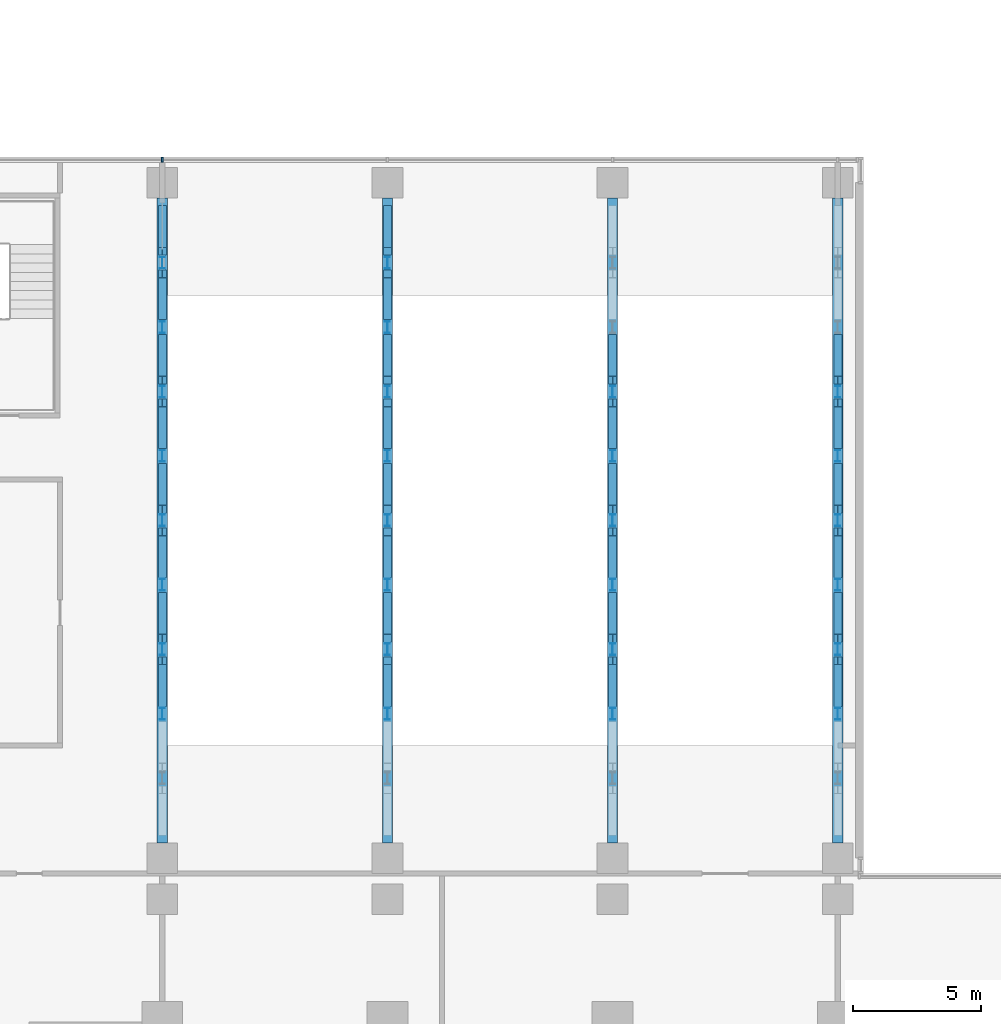
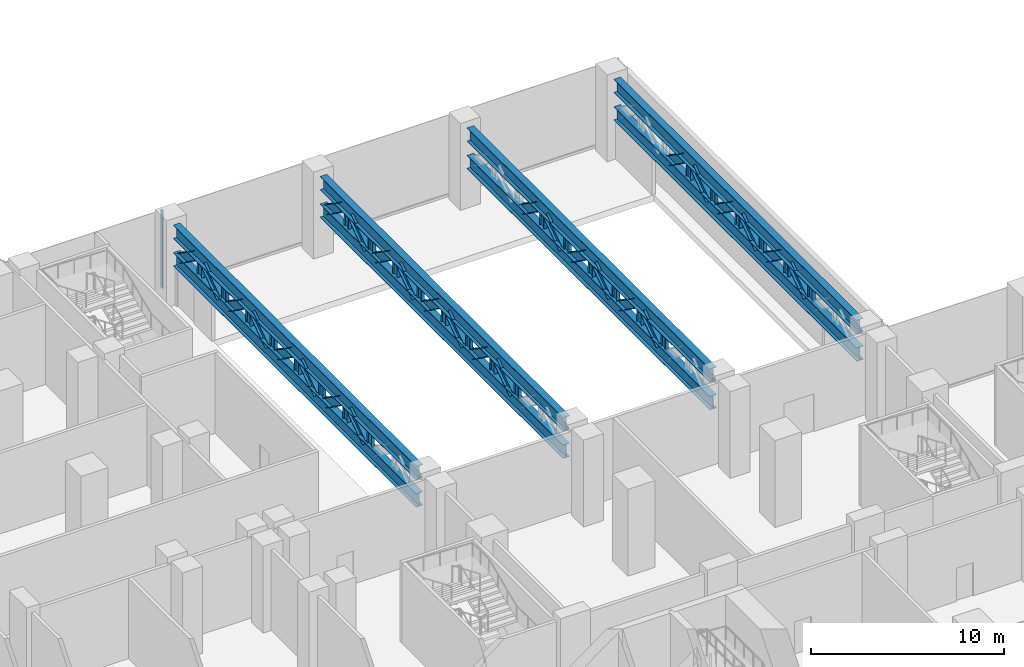
# One storey, part 8 of 30: 57 members, 8 beams, 1 element without a shape of its own.
"""IFC4 building model written with IfcOpenShell, lengths in metres."""

from ifc_helpers import new_model, si_unit, direction, frame, origin, origin_2d, place, context, subcontext, project, spatial, rectangle, i_section, extrude, source, transform, mapped, material, material_profile, profile_set, type_object, element, aggregate, save


model = new_model("IFC4")

# Units and contexts
model_context = context("Model", 3, precision=1e-05, world=origin(), true_north=direction((0.0, 1.0)))
body_context = subcontext(model_context, "Body", "Model", "MODEL_VIEW")
ifc_project = project(units=[si_unit("LENGTHUNIT", "METRE"), si_unit("AREAUNIT", "SQUARE_METRE"), si_unit("VOLUMEUNIT", "CUBIC_METRE"), si_unit("PLANEANGLEUNIT", "RADIAN"), si_unit("MASSUNIT", "GRAM", prefix="KILO")], contexts=[model_context])

# Site, building, storey
site_placement = place(None, origin())
site = spatial("IfcSite", under=ifc_project, at=site_placement, CompositionType="ELEMENT")
building_placement = place(site_placement, origin())
building = spatial("IfcBuilding", under=site, at=building_placement, Name="Kemantara Hotel Tower", CompositionType="ELEMENT")
storey_placement = place(building_placement, frame((0.0, 0.0, 23.5)))
storey = spatial("IfcBuildingStorey", under=building, at=storey_placement, Name="L04", CompositionType="ELEMENT", Elevation=23.5)

# Beams
ifc_material_1 = material(Name="Steel ASTM A992 Grade 50", Category="steel")
ifc_material_profile_1 = material_profile(ifc_material_1, i_section(OverallWidth=0.40087890625, OverallDepth=0.861083984375, WebThickness=0.019775390625, FlangeThickness=0.032470703125, at=origin_2d()), Name="W840X329")
ifc_profile_set_1 = profile_set([ifc_material_profile_1], Name="Steel ASTM A992 Grade 50")
beam_type = type_object("IfcBeamType", Name="BALLROOM ROOF TRUSS CHORD W840X329", PredefinedType="BEAM", material=ifc_profile_set_1)
for number, where, z_axis, x_axis, name in (
    (1, (36.199951171875, 28.0, 2.930419921875), (0.0, 1.0, 0.0), (-1.0, 0.0, 0.0), "BALLROOM ROOF TRUSS T1 bottom chord 1"),
    (2, (36.199951171875, 28.0, 4.66943359375), (0.0, 1.0, 0.0), (-1.0, 0.0, 0.0), "BALLROOM ROOF TRUSS T1 top chord 1"),
    (3, (45.0, 28.0, 2.930419921875), (0.0, 1.0, 0.0), (-1.0, 0.0, 0.0), "BALLROOM ROOF TRUSS T2 bottom chord 1"),
    (4, (45.0, 28.0, 4.66943359375), (0.0, 1.0, 0.0), (-1.0, 0.0, 0.0), "BALLROOM ROOF TRUSS T2 top chord 1"),
    (5, (53.800048828125, 28.0, 2.930419921875), (0.0, 1.0, 0.0), (-1.0, 0.0, 0.0), "BALLROOM ROOF TRUSS T3 bottom chord 1"),
    (6, (53.800048828125, 28.0, 4.66943359375), (0.0, 1.0, 0.0), (-1.0, 0.0, 0.0), "BALLROOM ROOF TRUSS T3 top chord 1"),
    (7, (62.60009765625, 28.0, 2.930419921875), (0.0, 1.0, 0.0), (-1.0, 0.0, 0.0), "BALLROOM ROOF TRUSS T4 bottom chord 1"),
    (8, (62.60009765625, 28.0, 4.66943359375), (0.0, 1.0, 0.0), (-1.0, 0.0, 0.0), "BALLROOM ROOF TRUSS T4 top chord 1"),
):
    element("IfcBeam", number, at=place(storey_placement, frame(where, z_axis=z_axis, x_axis=x_axis)), inside=storey, type_object=beam_type, Name=name, PredefinedType="BEAM", context=body_context, shape_type="SweptSolid", body=[
        extrude(i_section(OverallWidth=0.40087890625, OverallDepth=0.861083984375, WebThickness=0.019775390625, FlangeThickness=0.032470703125, at=origin_2d()), origin(), (0.0, 0.0, 1.0), 25.199951171875),
    ])

# Members
ifc_material_profile_2 = material_profile(ifc_material_1, i_section(OverallWidth=0.31201171875, OverallDepth=0.5439453125, WebThickness=0.0126953125, FlangeThickness=0.020263671875, at=origin_2d()), Name="W530X150")
ifc_profile_set_2 = profile_set([ifc_material_profile_2], Name="Steel ASTM A992 Grade 50")
member_type_1 = type_object("IfcMemberType", Name="BALLROOM ROOF TRUSS DIAGONAL W530X150", PredefinedType="BRACE", material=ifc_profile_set_2)
for number, where, z_axis, x_axis, name in (
    (9, (36.199951171875, 33.482666015625, 3.236083984375), (0.0, 0.823054254996, 0.567962756995), (-1.0, 0.0, 0.0), "BALLROOM ROOF TRUSS T1 diagonal 3"),
    (10, (36.199951171875, 37.63720703125, 3.236083984375), (0.0, -0.823054254996, 0.567962756995), (1.0, 0.0, 0.0), "BALLROOM ROOF TRUSS T1 diagonal 4"),
    (11, (36.199951171875, 38.522705078125, 3.236083984375), (0.0, 0.823054254996, 0.567962756995), (-1.0, 0.0, 0.0), "BALLROOM ROOF TRUSS T1 diagonal 5"),
    (12, (36.199951171875, 42.67724609375, 3.236083984375), (0.0, -0.823054254996, 0.567962756995), (1.0, 0.0, 0.0), "BALLROOM ROOF TRUSS T1 diagonal 6"),
    (13, (36.199951171875, 43.562744140625, 3.236083984375), (0.0, 0.823054254996, 0.567962756995), (-1.0, 0.0, 0.0), "BALLROOM ROOF TRUSS T1 diagonal 7"),
    (14, (36.199951171875, 47.71728515625, 3.236083984375), (0.0, -0.823054254996, 0.567962756995), (1.0, 0.0, 0.0), "BALLROOM ROOF TRUSS T1 diagonal 8"),
    (15, (36.199951171875, 48.602783203125, 3.236083984375), (0.0, 0.823054254996, 0.567962756995), (-1.0, 0.0, 0.0), "BALLROOM ROOF TRUSS T1 diagonal 9"),
    (16, (36.199951171875, 52.75732421875, 3.236083984375), (0.0, -0.823054254996, 0.567962756995), (1.0, 0.0, 0.0), "BALLROOM ROOF TRUSS T1 diagonal 10"),
    (17, (45.0, 33.482666015625, 3.236083984375), (0.0, 0.823054254996, 0.567962756995), (-1.0, 0.0, 0.0), "BALLROOM ROOF TRUSS T2 diagonal 3"),
    (18, (45.0, 37.63720703125, 3.236083984375), (0.0, -0.823054254996, 0.567962756995), (1.0, 0.0, 0.0), "BALLROOM ROOF TRUSS T2 diagonal 4"),
    (19, (45.0, 38.522705078125, 3.236083984375), (0.0, 0.823054254996, 0.567962756995), (-1.0, 0.0, 0.0), "BALLROOM ROOF TRUSS T2 diagonal 5"),
    (20, (45.0, 42.67724609375, 3.236083984375), (0.0, -0.823054254996, 0.567962756995), (1.0, 0.0, 0.0), "BALLROOM ROOF TRUSS T2 diagonal 6"),
    (21, (45.0, 43.562744140625, 3.236083984375), (0.0, 0.823054254996, 0.567962756995), (-1.0, 0.0, 0.0), "BALLROOM ROOF TRUSS T2 diagonal 7"),
    (22, (45.0, 47.71728515625, 3.236083984375), (0.0, -0.823054254996, 0.567962756995), (1.0, 0.0, 0.0), "BALLROOM ROOF TRUSS T2 diagonal 8"),
    (23, (45.0, 48.602783203125, 3.236083984375), (0.0, 0.823054254996, 0.567962756995), (-1.0, 0.0, 0.0), "BALLROOM ROOF TRUSS T2 diagonal 9"),
    (24, (45.0, 52.75732421875, 3.236083984375), (0.0, -0.823054254996, 0.567962756995), (1.0, 0.0, 0.0), "BALLROOM ROOF TRUSS T2 diagonal 10"),
    (25, (53.800048828125, 33.482666015625, 3.236083984375), (0.0, 0.823054254996, 0.567962756995), (-1.0, 0.0, 0.0), "BALLROOM ROOF TRUSS T3 diagonal 3"),
    (26, (53.800048828125, 37.63720703125, 3.236083984375), (0.0, -0.823054254996, 0.567962756995), (1.0, 0.0, 0.0), "BALLROOM ROOF TRUSS T3 diagonal 4"),
    (27, (53.800048828125, 38.522705078125, 3.236083984375), (0.0, 0.823054254996, 0.567962756995), (-1.0, 0.0, 0.0), "BALLROOM ROOF TRUSS T3 diagonal 5"),
    (28, (53.800048828125, 42.67724609375, 3.236083984375), (0.0, -0.823054254996, 0.567962756995), (1.0, 0.0, 0.0), "BALLROOM ROOF TRUSS T3 diagonal 6"),
    (29, (53.800048828125, 43.562744140625, 3.236083984375), (0.0, 0.823054254996, 0.567962756995), (-1.0, 0.0, 0.0), "BALLROOM ROOF TRUSS T3 diagonal 7"),
    (30, (53.800048828125, 47.71728515625, 3.236083984375), (0.0, -0.823054254996, 0.567962756995), (1.0, 0.0, 0.0), "BALLROOM ROOF TRUSS T3 diagonal 8"),
    (31, (62.60009765625, 33.482666015625, 3.236083984375), (0.0, 0.823054254996, 0.567962756995), (-1.0, 0.0, 0.0), "BALLROOM ROOF TRUSS T4 diagonal 3"),
    (32, (62.60009765625, 37.63720703125, 3.236083984375), (0.0, -0.823054254996, 0.567962756995), (1.0, 0.0, 0.0), "BALLROOM ROOF TRUSS T4 diagonal 4"),
    (33, (62.60009765625, 38.522705078125, 3.236083984375), (0.0, 0.823054254996, 0.567962756995), (-1.0, 0.0, 0.0), "BALLROOM ROOF TRUSS T4 diagonal 5"),
    (34, (62.60009765625, 42.67724609375, 3.236083984375), (0.0, -0.823054254996, 0.567962756995), (1.0, 0.0, 0.0), "BALLROOM ROOF TRUSS T4 diagonal 6"),
    (35, (62.60009765625, 43.562744140625, 3.236083984375), (0.0, 0.823054254996, 0.567962756995), (-1.0, 0.0, 0.0), "BALLROOM ROOF TRUSS T4 diagonal 7"),
    (36, (62.60009765625, 47.71728515625, 3.236083984375), (0.0, -0.823054254996, 0.567962756995), (1.0, 0.0, 0.0), "BALLROOM ROOF TRUSS T4 diagonal 8"),
):
    element("IfcMember", number, at=place(storey_placement, frame(where, z_axis=z_axis, x_axis=x_axis)), inside=storey, type_object=member_type_1, Name=name, PredefinedType="BRACE", context=body_context, shape_type="SweptSolid", body=[
        extrude(i_section(OverallWidth=0.31201171875, OverallDepth=0.5439453125, WebThickness=0.0126953125, FlangeThickness=0.020263671875, at=origin_2d()), origin(), (0.0, 0.0, 1.0), 1.98583984375),
    ])
ifc_material_profile_3 = material_profile(ifc_material_1, i_section(OverallWidth=0.193115234375, OverallDepth=0.467041015625, WebThickness=0.011474609375, FlangeThickness=0.01904296875, at=origin_2d()), Name="W460X97")
ifc_profile_set_3 = profile_set([ifc_material_profile_3], Name="Steel ASTM A992 Grade 50")
member_type_2 = type_object("IfcMemberType", Name="BALLROOM ROOF TRUSS POST W460X97", PredefinedType="POST", material=ifc_profile_set_3)
for number, where, z_axis, x_axis, name in (
    (37, (36.199951171875, 33.0400390625, 3.361083984375), (0.0, 0.0, 1.0), (1.0, 0.0, 0.0), "BALLROOM ROOF TRUSS T1 post 3"),
    (38, (36.199951171875, 35.56005859375, 3.361083984375), (0.0, 0.0, 1.0), (1.0, 0.0, 0.0), "BALLROOM ROOF TRUSS T1 post 4"),
    (39, (36.199951171875, 38.080078125, 3.361083984375), (0.0, 0.0, 1.0), (1.0, 0.0, 0.0), "BALLROOM ROOF TRUSS T1 post 5"),
    (40, (36.199951171875, 40.60009765625, 3.361083984375), (0.0, 0.0, 1.0), (1.0, 0.0, 0.0), "BALLROOM ROOF TRUSS T1 post 6"),
    (41, (36.199951171875, 43.1201171875, 3.361083984375), (0.0, 0.0, 1.0), (1.0, 0.0, 0.0), "BALLROOM ROOF TRUSS T1 post 7"),
    (42, (36.199951171875, 45.639892578125, 3.361083984375), (0.0, 0.0, 1.0), (1.0, 0.0, 0.0), "BALLROOM ROOF TRUSS T1 post 8"),
    (43, (36.199951171875, 48.159912109375, 3.361083984375), (0.0, 0.0, 1.0), (1.0, 0.0, 0.0), "BALLROOM ROOF TRUSS T1 post 9"),
    (44, (36.199951171875, 50.679931640625, 3.361083984375), (0.0, 0.0, 1.0), (1.0, 0.0, 0.0), "BALLROOM ROOF TRUSS T1 post 10"),
    (45, (45.0, 33.0400390625, 3.361083984375), (0.0, 0.0, 1.0), (1.0, 0.0, 0.0), "BALLROOM ROOF TRUSS T2 post 3"),
    (46, (45.0, 35.56005859375, 3.361083984375), (0.0, 0.0, 1.0), (1.0, 0.0, 0.0), "BALLROOM ROOF TRUSS T2 post 4"),
    (47, (45.0, 38.080078125, 3.361083984375), (0.0, 0.0, 1.0), (1.0, 0.0, 0.0), "BALLROOM ROOF TRUSS T2 post 5"),
    (48, (45.0, 40.60009765625, 3.361083984375), (0.0, 0.0, 1.0), (1.0, 0.0, 0.0), "BALLROOM ROOF TRUSS T2 post 6"),
    (49, (45.0, 43.1201171875, 3.361083984375), (0.0, 0.0, 1.0), (1.0, 0.0, 0.0), "BALLROOM ROOF TRUSS T2 post 7"),
    (50, (45.0, 45.639892578125, 3.361083984375), (0.0, 0.0, 1.0), (1.0, 0.0, 0.0), "BALLROOM ROOF TRUSS T2 post 8"),
    (51, (45.0, 48.159912109375, 3.361083984375), (0.0, 0.0, 1.0), (1.0, 0.0, 0.0), "BALLROOM ROOF TRUSS T2 post 9"),
    (52, (45.0, 50.679931640625, 3.361083984375), (0.0, 0.0, 1.0), (1.0, 0.0, 0.0), "BALLROOM ROOF TRUSS T2 post 10"),
    (53, (53.800048828125, 33.0400390625, 3.361083984375), (0.0, 0.0, 1.0), (1.0, 0.0, 0.0), "BALLROOM ROOF TRUSS T3 post 3"),
    (54, (53.800048828125, 35.56005859375, 3.361083984375), (0.0, 0.0, 1.0), (1.0, 0.0, 0.0), "BALLROOM ROOF TRUSS T3 post 4"),
    (55, (53.800048828125, 38.080078125, 3.361083984375), (0.0, 0.0, 1.0), (1.0, 0.0, 0.0), "BALLROOM ROOF TRUSS T3 post 5"),
    (56, (53.800048828125, 40.60009765625, 3.361083984375), (0.0, 0.0, 1.0), (1.0, 0.0, 0.0), "BALLROOM ROOF TRUSS T3 post 6"),
    (57, (53.800048828125, 43.1201171875, 3.361083984375), (0.0, 0.0, 1.0), (1.0, 0.0, 0.0), "BALLROOM ROOF TRUSS T3 post 7"),
    (58, (53.800048828125, 45.639892578125, 3.361083984375), (0.0, 0.0, 1.0), (1.0, 0.0, 0.0), "BALLROOM ROOF TRUSS T3 post 8"),
    (59, (62.60009765625, 33.0400390625, 3.361083984375), (0.0, 0.0, 1.0), (1.0, 0.0, 0.0), "BALLROOM ROOF TRUSS T4 post 3"),
    (60, (62.60009765625, 35.56005859375, 3.361083984375), (0.0, 0.0, 1.0), (1.0, 0.0, 0.0), "BALLROOM ROOF TRUSS T4 post 4"),
    (61, (62.60009765625, 38.080078125, 3.361083984375), (0.0, 0.0, 1.0), (1.0, 0.0, 0.0), "BALLROOM ROOF TRUSS T4 post 5"),
    (62, (62.60009765625, 40.60009765625, 3.361083984375), (0.0, 0.0, 1.0), (1.0, 0.0, 0.0), "BALLROOM ROOF TRUSS T4 post 6"),
    (63, (62.60009765625, 43.1201171875, 3.361083984375), (0.0, 0.0, 1.0), (1.0, 0.0, 0.0), "BALLROOM ROOF TRUSS T4 post 7"),
    (64, (62.60009765625, 45.639892578125, 3.361083984375), (0.0, 0.0, 1.0), (1.0, 0.0, 0.0), "BALLROOM ROOF TRUSS T4 post 8"),
):
    element("IfcMember", number, at=place(storey_placement, frame(where, z_axis=z_axis, x_axis=x_axis)), inside=storey, type_object=member_type_2, Name=name, PredefinedType="POST", context=body_context, shape_type="SweptSolid", body=[
        extrude(i_section(OverallWidth=0.193115234375, OverallDepth=0.467041015625, WebThickness=0.011474609375, FlangeThickness=0.01904296875, at=origin_2d()), origin(), (0.0, 0.0, 1.0), 0.8779296875),
    ])

# Curtain wall, member
ifc_material_2 = material(Name="Laminated tinted insulated glass 44 mm", Category="glass")
curtain_wall_type = type_object("IfcCurtainWallType", Name="PODIUM GLASS CURTAIN WALL", PredefinedType="USERDEFINED", material=ifc_material_2)
curtain_wall_placement = place(storey_placement, origin())
curtain_wall = element("IfcCurtainWall", 65, at=curtain_wall_placement, inside=storey, type_object=curtain_wall_type, Name="CW1 L04 POD-R09-1", ObjectType="PODIUM GLASS CURTAIN WALL", PredefinedType="USERDEFINED")
ifc_material_3 = material(Name="Aluminium 6063-T6 bronze anodised", Category="aluminium")
ifc_material_profile_4 = material_profile(ifc_material_3, rectangle(XDim=0.199951171875, YDim=0.074951171875, at=origin_2d()), Name="PODIUM GLASS CURTAIN WALL MULLION")
ifc_profile_set_4 = profile_set([ifc_material_profile_4], Name="Aluminium 6063-T6 bronze anodised")
member_type_3 = type_object("IfcMemberType", Name="PODIUM GLASS CURTAIN WALL MULLION", PredefinedType="MULLION", material=ifc_profile_set_4)
shared_shape = source(origin(), body_context, "Body", "SweptSolid", [
    extrude(rectangle(XDim=0.199951171875, YDim=0.074951171875, at=origin_2d()), origin(), (0.0, 0.0, 1.0), 4.9501953125),
])
member_placement = place(storey_placement, frame((36.199951171875, 54.699951171875, 0.14990234375), z_axis=(0.0, 0.0, 1.0), x_axis=(0.0, -1.0, 0.0)))
member = element("IfcMember", 66, at=member_placement, type_object=member_type_3, Name="CW1 mullion POD-R09-1.5", PredefinedType="MULLION", context=body_context, shape_type="MappedRepresentation", body=[
    mapped(shared_shape, transform((0.0, 0.0, 0.0))),
])
aggregate(curtain_wall, [member])

save(model, "model.ifc")
